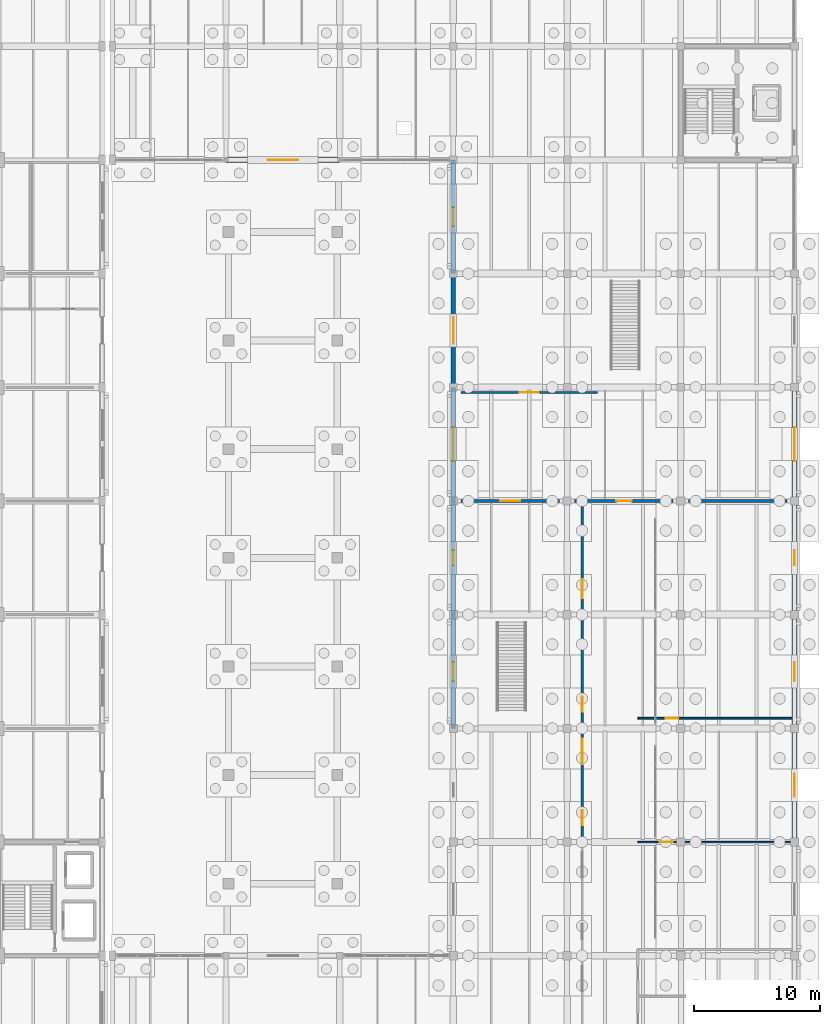
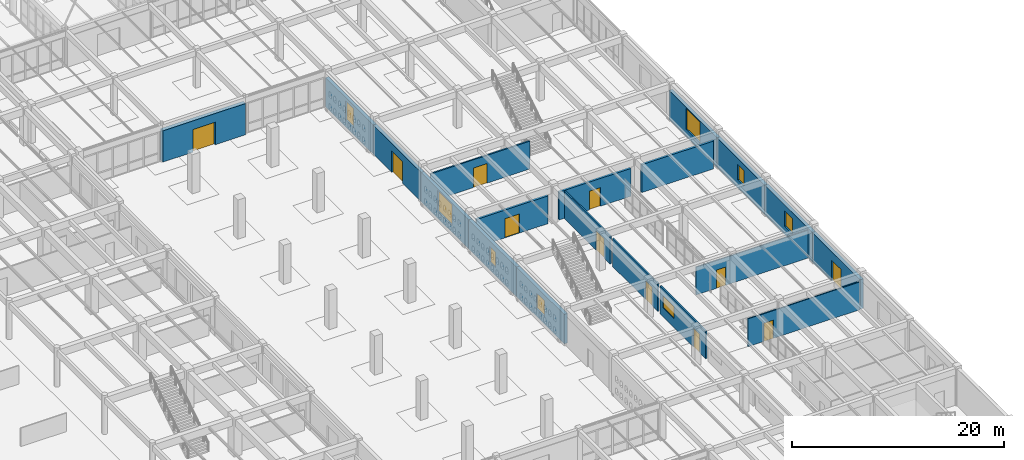
# One storey, part 169 of 186: 19 walls, 11 doors, 8 windows, 19 openings.
"""IFC4 building model written with IfcOpenShell, lengths in metres."""

from ifc_helpers import new_model, si_unit, direction, frame, frame_2d, origin, place, context, subcontext, project, spatial, rectangle, extrude, material, layer, layer_set, type_object, element, fill, save


model = new_model("IFC4")

# Units and contexts
model_context = context("Model", 3, precision=1e-05, world=origin(), true_north=direction((0.0, 1.0)))
body_context = subcontext(model_context, "Body", "Model", "MODEL_VIEW")
ifc_project = project(units=[si_unit("LENGTHUNIT", "METRE"), si_unit("AREAUNIT", "SQUARE_METRE"), si_unit("VOLUMEUNIT", "CUBIC_METRE"), si_unit("PLANEANGLEUNIT", "RADIAN"), si_unit("MASSUNIT", "GRAM", prefix="KILO")], contexts=[model_context])

# Site, building, storey
site_placement = place(None, origin())
site = spatial("IfcSite", under=ifc_project, at=site_placement, CompositionType="ELEMENT")
building_placement = place(site_placement, origin())
building = spatial("IfcBuilding", under=site, at=building_placement, Name="Ornek Quay Market", CompositionType="ELEMENT")
storey_placement = place(building_placement, origin())
storey = spatial("IfcBuildingStorey", under=building, at=storey_placement, Name="L00", CompositionType="ELEMENT", Elevation=0.0)

# Wall, opening, window
ifc_material_1 = material(Name="Frost-resistant facing clay brick M200 F100", Category="masonry")
ifc_layer_1 = layer(ifc_material_1, 0.3701171875, Name="Frost-resistant facing clay brick M200 F100", Category="masonry")
ifc_layer_set_1 = layer_set([ifc_layer_1], Name="Frost-resistant facing clay brick M200 F100")
wall_type_1 = type_object("IfcWallType", Name="WL-EXT-CS-370", PredefinedType="STANDARD", material=ifc_layer_set_1)
wall_1_placement = place(storey_placement, frame((153.0, 47.0, 0.0), z_axis=(0.0, 0.0, 1.0), x_axis=(0.0, 1.0, 0.0)))
wall_1 = element("IfcWall", 1, at=wall_1_placement, inside=storey, type_object=wall_type_1, Name="Exterior wall EW-189", PredefinedType="STANDARD", context=body_context, shape_type="SweptSolid", body=[
    extrude(rectangle(XDim=9.0, YDim=0.3701171875, at=frame_2d((4.5, 0.0))), origin(), (0.0, 0.0, 1.0), 3.3798828125),
])
opening_1_placement = place(wall_1_placement, frame((3.75, 0.0, 0.89990234375)))
opening_1 = element("IfcOpeningElement", 2, at=opening_1_placement, cuts=wall_1, Name="Opening W-10-155", PredefinedType="OPENING", context=body_context, shape_type="SweptSolid", body=[
    extrude(rectangle(XDim=1.5, YDim=1.800048828125, at=frame_2d((0.75, 0.89990234375))), frame((0.0, 0.195068359375, 0.0), z_axis=(0.0, -1.0, 0.0), x_axis=(1.0, 0.0, 0.0)), (0.0, 0.0, 1.0), 0.39013671875),
])
ifc_material_2 = material(Name="Thermally broken bronze aluminium and triple low-e glass", Category="aluminium")
window_type_1 = type_object("IfcWindowType", Name="WN-CS-1500x1800", PartitioningType="SINGLE_PANEL", PredefinedType="WINDOW", material=ifc_material_2)
window_1_placement = place(opening_1_placement, origin())
window_1 = element("IfcWindow", 3, at=window_1_placement, inside=storey, type_object=window_type_1, Name="Window W-10-155", OverallHeight=1.800048828125, OverallWidth=1.5, PartitioningType="SINGLE_PANEL", PredefinedType="WINDOW", context=body_context, shape_type="SweptSolid", body=[
    extrude(rectangle(XDim=1.5, YDim=1.800048828125, at=frame_2d((0.75, 0.89990234375))), frame((0.0, 0.030029296875, 0.0), z_axis=(0.0, -1.0, 0.0), x_axis=(1.0, 0.0, 0.0)), (0.0, 0.0, 1.0), 0.06005859375),
])
fill(opening_1, window_1)

wall_2_placement = place(storey_placement, frame((153.0, 56.0, 0.0), z_axis=(0.0, 0.0, 1.0), x_axis=(0.0, 1.0, 0.0)))
wall_2 = element("IfcWall", 4, at=wall_2_placement, inside=storey, type_object=wall_type_1, Name="Exterior wall EW-190", PredefinedType="STANDARD", context=body_context, shape_type="SweptSolid", body=[
    extrude(rectangle(XDim=9.0, YDim=0.3701171875, at=frame_2d((4.5, 0.0))), origin(), (0.0, 0.0, 1.0), 3.360107421875),
])
opening_2_placement = place(wall_2_placement, frame((3.89990234375, 0.0, 0.89990234375)))
opening_2 = element("IfcOpeningElement", 5, at=opening_2_placement, cuts=wall_2, Name="Opening W-11-156", PredefinedType="OPENING", context=body_context, shape_type="SweptSolid", body=[
    extrude(rectangle(XDim=1.199951171875, YDim=1.800048828125, at=frame_2d((0.60009765625, 0.89990234375))), frame((0.0, 0.195068359375, 0.0), z_axis=(0.0, -1.0, 0.0), x_axis=(1.0, 0.0, 0.0)), (0.0, 0.0, 1.0), 0.39013671875),
])
window_type_2 = type_object("IfcWindowType", Name="WN-CS-1200x1800", PartitioningType="SINGLE_PANEL", PredefinedType="WINDOW", material=ifc_material_2)
window_2_placement = place(opening_2_placement, origin())
window_2 = element("IfcWindow", 6, at=window_2_placement, inside=storey, type_object=window_type_2, Name="Window W-11-156", OverallHeight=1.800048828125, OverallWidth=1.199951171875, PartitioningType="SINGLE_PANEL", PredefinedType="WINDOW", context=body_context, shape_type="SweptSolid", body=[
    extrude(rectangle(XDim=1.199951171875, YDim=1.800048828125, at=frame_2d((0.60009765625, 0.89990234375))), frame((0.0, 0.030029296875, 0.0), z_axis=(0.0, -1.0, 0.0), x_axis=(1.0, 0.0, 0.0)), (0.0, 0.0, 1.0), 0.06005859375),
])
fill(opening_2, window_2)

# Wall, opening, door
wall_3_placement = place(storey_placement, frame((180.0, 38.0, 0.0), z_axis=(0.0, 0.0, 1.0), x_axis=(0.0, 1.0, 0.0)))
wall_3 = element("IfcWall", 7, at=wall_3_placement, inside=storey, type_object=wall_type_1, Name="Exterior wall EW-194", PredefinedType="STANDARD", context=body_context, shape_type="SweptSolid", body=[
    extrude(rectangle(XDim=9.0, YDim=0.3701171875, at=frame_2d((4.5, 0.0))), origin(), (0.0, 0.0, 1.0), 3.3798828125),
])
opening_3_placement = place(wall_3_placement, frame((3.60009765625, 0.0, 0.0)))
opening_3 = element("IfcOpeningElement", 8, at=opening_3_placement, cuts=wall_3, Name="Opening ED-03-047", PredefinedType="OPENING", context=body_context, shape_type="SweptSolid", body=[
    extrude(rectangle(XDim=1.800048828125, YDim=2.39990234375, at=frame_2d((0.89990234375, 1.199951171875))), frame((0.0, 0.195068359375, 0.0), z_axis=(0.0, -1.0, 0.0), x_axis=(1.0, 0.0, 0.0)), (0.0, 0.0, 1.0), 0.39013671875),
])
ifc_material_3 = material(Name="Anodised bronze aluminium and triple glass", Category="aluminium")
door_type_1 = type_object("IfcDoorType", Name="DR-EXT-DBL-1800x2400", OperationType="DOUBLE_DOOR_SINGLE_SWING", PredefinedType="DOOR", material=ifc_material_3)
door_1_placement = place(opening_3_placement, origin())
door_1 = element("IfcDoor", 9, at=door_1_placement, inside=storey, type_object=door_type_1, Name="Exterior door ED-03-047", OperationType="DOUBLE_DOOR_SINGLE_SWING", OverallHeight=2.39990234375, OverallWidth=1.800048828125, PredefinedType="DOOR", context=body_context, shape_type="SweptSolid", body=[
    extrude(rectangle(XDim=1.800048828125, YDim=2.39990234375, at=frame_2d((0.89990234375, 1.199951171875))), frame((0.0, 0.02490234375, 0.0), z_axis=(0.0, -1.0, 0.0), x_axis=(1.0, 0.0, 0.0)), (0.0, 0.0, 1.0), 0.050048828125),
])
fill(opening_3, door_1)

# Wall, opening, window
wall_4_placement = place(storey_placement, frame((180.0, 47.0, 0.0), z_axis=(0.0, 0.0, 1.0), x_axis=(0.0, 1.0, 0.0)))
wall_4 = element("IfcWall", 10, at=wall_4_placement, inside=storey, type_object=wall_type_1, Name="Exterior wall EW-195", PredefinedType="STANDARD", context=body_context, shape_type="SweptSolid", body=[
    extrude(rectangle(XDim=9.0, YDim=0.3701171875, at=frame_2d((4.5, 0.0))), origin(), (0.0, 0.0, 1.0), 3.3798828125),
])
opening_4_placement = place(wall_4_placement, frame((3.75, 0.0, 0.89990234375)))
opening_4 = element("IfcOpeningElement", 11, at=opening_4_placement, cuts=wall_4, Name="Opening W-10-159", PredefinedType="OPENING", context=body_context, shape_type="SweptSolid", body=[
    extrude(rectangle(XDim=1.5, YDim=1.800048828125, at=frame_2d((0.75, 0.89990234375))), frame((0.0, 0.195068359375, 0.0), z_axis=(0.0, -1.0, 0.0), x_axis=(1.0, 0.0, 0.0)), (0.0, 0.0, 1.0), 0.39013671875),
])
window_3_placement = place(opening_4_placement, origin())
window_3 = element("IfcWindow", 12, at=window_3_placement, inside=storey, type_object=window_type_1, Name="Window W-10-159", OverallHeight=1.800048828125, OverallWidth=1.5, PartitioningType="SINGLE_PANEL", PredefinedType="WINDOW", context=body_context, shape_type="SweptSolid", body=[
    extrude(rectangle(XDim=1.5, YDim=1.800048828125, at=frame_2d((0.75, 0.89990234375))), frame((0.0, 0.030029296875, 0.0), z_axis=(0.0, -1.0, 0.0), x_axis=(1.0, 0.0, 0.0)), (0.0, 0.0, 1.0), 0.06005859375),
])
fill(opening_4, window_3)

wall_5_placement = place(storey_placement, frame((180.0, 56.0, 0.0), z_axis=(0.0, 0.0, 1.0), x_axis=(0.0, 1.0, 0.0)))
wall_5 = element("IfcWall", 13, at=wall_5_placement, inside=storey, type_object=wall_type_1, Name="Exterior wall EW-196", PredefinedType="STANDARD", context=body_context, shape_type="SweptSolid", body=[
    extrude(rectangle(XDim=9.0, YDim=0.3701171875, at=frame_2d((4.5, 0.0))), origin(), (0.0, 0.0, 1.0), 3.360107421875),
])
opening_5_placement = place(wall_5_placement, frame((3.89990234375, 0.0, 0.89990234375)))
opening_5 = element("IfcOpeningElement", 14, at=opening_5_placement, cuts=wall_5, Name="Opening W-11-160", PredefinedType="OPENING", context=body_context, shape_type="SweptSolid", body=[
    extrude(rectangle(XDim=1.199951171875, YDim=1.800048828125, at=frame_2d((0.60009765625, 0.89990234375))), frame((0.0, 0.195068359375, 0.0), z_axis=(0.0, -1.0, 0.0), x_axis=(1.0, 0.0, 0.0)), (0.0, 0.0, 1.0), 0.39013671875),
])
window_4_placement = place(opening_5_placement, origin())
window_4 = element("IfcWindow", 15, at=window_4_placement, inside=storey, type_object=window_type_2, Name="Window W-11-160", OverallHeight=1.800048828125, OverallWidth=1.199951171875, PartitioningType="SINGLE_PANEL", PredefinedType="WINDOW", context=body_context, shape_type="SweptSolid", body=[
    extrude(rectangle(XDim=1.199951171875, YDim=1.800048828125, at=frame_2d((0.60009765625, 0.89990234375))), frame((0.0, 0.030029296875, 0.0), z_axis=(0.0, -1.0, 0.0), x_axis=(1.0, 0.0, 0.0)), (0.0, 0.0, 1.0), 0.06005859375),
])
fill(opening_5, window_4)

ifc_layer_2 = layer(ifc_material_1, 0.360107421875, Name="Frost-resistant facing clay brick M200 F100", Category="masonry")
ifc_layer_set_2 = layer_set([ifc_layer_2], Name="Frost-resistant facing clay brick M200 F100")
wall_type_2 = type_object("IfcWallType", Name="WL-EXT-FC-360", PredefinedType="STANDARD", material=ifc_layer_set_2)
wall_6_placement = place(storey_placement, frame((153.0, 65.0, 0.0), z_axis=(0.0, 0.0, 1.0), x_axis=(0.0, 1.0, 0.0)))
wall_6 = element("IfcWall", 16, at=wall_6_placement, inside=storey, type_object=wall_type_2, Name="Exterior wall EW-152", PredefinedType="STANDARD", context=body_context, shape_type="SweptSolid", body=[
    extrude(rectangle(XDim=9.0, YDim=0.360107421875, at=frame_2d((4.5, 0.0))), origin(), (0.0, 0.0, 1.0), 3.360107421875),
])
opening_6_placement = place(wall_6_placement, frame((3.14990234375, 0.0, 0.800048828125)))
opening_6 = element("IfcOpeningElement", 17, at=opening_6_placement, cuts=wall_6, Name="Opening W-05-126", PredefinedType="OPENING", context=body_context, shape_type="SweptSolid", body=[
    extrude(rectangle(XDim=2.699951171875, YDim=2.39990234375, at=frame_2d((1.35009765625, 1.199951171875))), frame((0.0, 0.18994140625, 0.0), z_axis=(0.0, -1.0, 0.0), x_axis=(1.0, 0.0, 0.0)), (0.0, 0.0, 1.0), 0.380126953125),
])
window_type_3 = type_object("IfcWindowType", Name="WN-FC-2700x2400", PartitioningType="TRIPLE_PANEL_VERTICAL", PredefinedType="WINDOW", material=ifc_material_2)
window_5_placement = place(opening_6_placement, origin())
window_5 = element("IfcWindow", 18, at=window_5_placement, inside=storey, type_object=window_type_3, Name="Window W-05-126", OverallHeight=2.39990234375, OverallWidth=2.699951171875, PartitioningType="SINGLE_PANEL", PredefinedType="WINDOW", context=body_context, shape_type="SweptSolid", body=[
    extrude(rectangle(XDim=2.699951171875, YDim=2.39990234375, at=frame_2d((1.35009765625, 1.199951171875))), frame((0.0, 0.030029296875, 0.0), z_axis=(0.0, -1.0, 0.0), x_axis=(1.0, 0.0, 0.0)), (0.0, 0.0, 1.0), 0.06005859375),
])
fill(opening_6, window_5)

# Wall, opening, door
wall_7_placement = place(storey_placement, frame((153.0, 74.0, 0.0), z_axis=(0.0, 0.0, 1.0), x_axis=(0.0, 1.0, 0.0)))
wall_7 = element("IfcWall", 19, at=wall_7_placement, inside=storey, type_object=wall_type_2, Name="Exterior wall EW-153", PredefinedType="STANDARD", context=body_context, shape_type="SweptSolid", body=[
    extrude(rectangle(XDim=9.0, YDim=0.360107421875, at=frame_2d((4.5, 0.0))), origin(), (0.0, 0.0, 1.0), 3.360107421875),
])
opening_7_placement = place(wall_7_placement, frame((3.449951171875, 0.0, 0.0)))
opening_7 = element("IfcOpeningElement", 20, at=opening_7_placement, cuts=wall_7, Name="Opening ED-02-038", PredefinedType="OPENING", context=body_context, shape_type="SweptSolid", body=[
    extrude(rectangle(XDim=2.10009765625, YDim=2.5, at=frame_2d((1.050048828125, 1.25))), frame((0.0, 0.18994140625, 0.0), z_axis=(0.0, -1.0, 0.0), x_axis=(1.0, 0.0, 0.0)), (0.0, 0.0, 1.0), 0.380126953125),
])
door_type_2 = type_object("IfcDoorType", Name="DR-EXT-DBL-2100x2500", OperationType="DOUBLE_DOOR_SINGLE_SWING", PredefinedType="DOOR", material=ifc_material_3)
door_2_placement = place(opening_7_placement, origin())
door_2 = element("IfcDoor", 21, at=door_2_placement, inside=storey, type_object=door_type_2, Name="Exterior door ED-02-038", OperationType="DOUBLE_DOOR_SINGLE_SWING", OverallHeight=2.5, OverallWidth=2.10009765625, PredefinedType="DOOR", context=body_context, shape_type="SweptSolid", body=[
    extrude(rectangle(XDim=2.10009765625, YDim=2.5, at=frame_2d((1.050048828125, 1.25))), frame((0.0, 0.02490234375, 0.0), z_axis=(0.0, -1.0, 0.0), x_axis=(1.0, 0.0, 0.0)), (0.0, 0.0, 1.0), 0.050048828125),
])
fill(opening_7, door_2)

# Wall, opening, window
wall_8_placement = place(storey_placement, frame((153.0, 83.0, 0.0), z_axis=(0.0, 0.0, 1.0), x_axis=(0.0, 1.0, 0.0)))
wall_8 = element("IfcWall", 22, at=wall_8_placement, inside=storey, type_object=wall_type_2, Name="Exterior wall EW-154", PredefinedType="STANDARD", context=body_context, shape_type="SweptSolid", body=[
    extrude(rectangle(XDim=9.0, YDim=0.360107421875, at=frame_2d((4.5, 0.0))), origin(), (0.0, 0.0, 1.0), 3.360107421875),
])
opening_8_placement = place(wall_8_placement, frame((3.75, 0.0, 0.800048828125)))
opening_8 = element("IfcOpeningElement", 23, at=opening_8_placement, cuts=wall_8, Name="Opening W-07-127", PredefinedType="OPENING", context=body_context, shape_type="SweptSolid", body=[
    extrude(rectangle(XDim=1.5, YDim=2.199951171875, at=frame_2d((0.75, 1.10009765625))), frame((0.0, 0.18994140625, 0.0), z_axis=(0.0, -1.0, 0.0), x_axis=(1.0, 0.0, 0.0)), (0.0, 0.0, 1.0), 0.380126953125),
])
window_type_4 = type_object("IfcWindowType", Name="WN-FC-1500x2200", PartitioningType="SINGLE_PANEL", PredefinedType="WINDOW", material=ifc_material_2)
window_6_placement = place(opening_8_placement, origin())
window_6 = element("IfcWindow", 24, at=window_6_placement, inside=storey, type_object=window_type_4, Name="Window W-07-127", OverallHeight=2.199951171875, OverallWidth=1.5, PartitioningType="SINGLE_PANEL", PredefinedType="WINDOW", context=body_context, shape_type="SweptSolid", body=[
    extrude(rectangle(XDim=1.5, YDim=2.199951171875, at=frame_2d((0.75, 1.10009765625))), frame((0.0, 0.030029296875, 0.0), z_axis=(0.0, -1.0, 0.0), x_axis=(1.0, 0.0, 0.0)), (0.0, 0.0, 1.0), 0.06005859375),
])
fill(opening_8, window_6)

wall_9_placement = place(storey_placement, frame((180.0, 65.0, 0.0), z_axis=(0.0, 0.0, 1.0), x_axis=(0.0, 1.0, 0.0)))
wall_9 = element("IfcWall", 25, at=wall_9_placement, inside=storey, type_object=wall_type_2, Name="Exterior wall EW-155", PredefinedType="STANDARD", context=body_context, shape_type="SweptSolid", body=[
    extrude(rectangle(XDim=9.0, YDim=0.360107421875, at=frame_2d((4.5, 0.0))), origin(), (0.0, 0.0, 1.0), 3.360107421875),
])
opening_9_placement = place(wall_9_placement, frame((3.14990234375, 0.0, 0.800048828125)))
opening_9 = element("IfcOpeningElement", 26, at=opening_9_placement, cuts=wall_9, Name="Opening W-05-128", PredefinedType="OPENING", context=body_context, shape_type="SweptSolid", body=[
    extrude(rectangle(XDim=2.699951171875, YDim=2.39990234375, at=frame_2d((1.35009765625, 1.199951171875))), frame((0.0, 0.18994140625, 0.0), z_axis=(0.0, -1.0, 0.0), x_axis=(1.0, 0.0, 0.0)), (0.0, 0.0, 1.0), 0.380126953125),
])
window_7_placement = place(opening_9_placement, origin())
window_7 = element("IfcWindow", 27, at=window_7_placement, inside=storey, type_object=window_type_3, Name="Window W-05-128", OverallHeight=2.39990234375, OverallWidth=2.699951171875, PartitioningType="SINGLE_PANEL", PredefinedType="WINDOW", context=body_context, shape_type="SweptSolid", body=[
    extrude(rectangle(XDim=2.699951171875, YDim=2.39990234375, at=frame_2d((1.35009765625, 1.199951171875))), frame((0.0, 0.030029296875, 0.0), z_axis=(0.0, -1.0, 0.0), x_axis=(1.0, 0.0, 0.0)), (0.0, 0.0, 1.0), 0.06005859375),
])
fill(opening_9, window_7)

# Wall, opening, door
ifc_material_4 = material(Name="Granite-faced insulated concrete C35/45", Category="masonry")
ifc_layer_3 = layer(ifc_material_4, 0.43994140625, Name="Granite-faced insulated concrete C35/45", Category="masonry")
ifc_layer_set_3 = layer_set([ifc_layer_3], Name="Granite-faced insulated concrete C35/45")
wall_type_3 = type_object("IfcWallType", Name="WL-EXT-PLINTH-440", PredefinedType="STANDARD", material=ifc_layer_set_3)
wall_10_placement = place(storey_placement, frame((135.0, 92.0, 0.0), z_axis=(0.0, 0.0, 1.0), x_axis=(1.0, 0.0, 0.0)))
wall_10 = element("IfcWall", 28, at=wall_10_placement, inside=storey, type_object=wall_type_3, Name="Exterior wall EW-091", PredefinedType="STANDARD", context=body_context, shape_type="SweptSolid", body=[
    extrude(rectangle(XDim=9.0, YDim=0.43994140625, at=frame_2d((4.5, 0.0))), origin(), (0.0, 0.0, 1.0), 3.60009765625),
])
opening_10_placement = place(wall_10_placement, frame((3.300048828125, 0.0, 0.0)))
opening_10 = element("IfcOpeningElement", 29, at=opening_10_placement, cuts=wall_10, Name="Opening ED-01-016", PredefinedType="OPENING", context=body_context, shape_type="SweptSolid", body=[
    extrude(rectangle(XDim=2.39990234375, YDim=2.60009765625, at=frame_2d((1.199951171875, 1.300048828125))), frame((0.0, 0.22998046875, 0.0), z_axis=(0.0, -1.0, 0.0), x_axis=(1.0, 0.0, 0.0)), (0.0, 0.0, 1.0), 0.4599609375),
])
door_type_3 = type_object("IfcDoorType", Name="DR-EXT-DBL-2400x2600", OperationType="DOUBLE_DOOR_SINGLE_SWING", PredefinedType="DOOR", material=ifc_material_3)
door_3_placement = place(opening_10_placement, origin())
door_3 = element("IfcDoor", 30, at=door_3_placement, inside=storey, type_object=door_type_3, Name="Exterior door ED-01-016", OperationType="DOUBLE_DOOR_SINGLE_SWING", OverallHeight=2.60009765625, OverallWidth=2.39990234375, PredefinedType="DOOR", context=body_context, shape_type="SweptSolid", body=[
    extrude(rectangle(XDim=2.39990234375, YDim=2.60009765625, at=frame_2d((1.199951171875, 1.300048828125))), frame((0.0, 0.02490234375, 0.0), z_axis=(0.0, -1.0, 0.0), x_axis=(1.0, 0.0, 0.0)), (0.0, 0.0, 1.0), 0.050048828125),
])
fill(opening_10, door_3)

ifc_material_5 = material(Name="Concrete C35/45", Category="concrete")
ifc_layer_4 = layer(ifc_material_5, 0.239990234375, Name="Concrete C35/45", Category="concrete")
ifc_layer_set_4 = layer_set([ifc_layer_4], Name="Concrete C35/45")
wall_type_4 = type_object("IfcWallType", Name="WL-FIRE-240", PredefinedType="SOLIDWALL", material=ifc_layer_set_4)
wall_11_placement = place(storey_placement, frame((153.60009765625, 65.0, 0.0), z_axis=(0.0, 0.0, 1.0), x_axis=(1.0, 0.0, 0.0)))
wall_11 = element("IfcWall", 31, at=wall_11_placement, inside=storey, type_object=wall_type_4, Name="Interior wall W-FIRE2-297", PredefinedType="SOLIDWALL", context=body_context, shape_type="SweptSolid", body=[
    extrude(rectangle(XDim=7.7998046875, YDim=0.239990234375, at=frame_2d((3.89990234375, 0.0))), origin(), (0.0, 0.0, 1.0), 3.199951171875),
])
opening_11_placement = place(wall_11_placement, frame((3.10009765625, 0.0, 0.0)))
opening_11 = element("IfcOpeningElement", 32, at=opening_11_placement, cuts=wall_11, Name="Opening FD-02-133", PredefinedType="OPENING", context=body_context, shape_type="SweptSolid", body=[
    extrude(rectangle(XDim=1.60009765625, YDim=2.199951171875, at=frame_2d((0.800048828125, 1.10009765625))), frame((0.0, 0.1298828125, 0.0), z_axis=(0.0, -1.0, 0.0), x_axis=(1.0, 0.0, 0.0)), (0.0, 0.0, 1.0), 0.260009765625),
])
ifc_material_6 = material(Name="Insulated fire-rated painted steel", Category="steel")
door_type_4 = type_object("IfcDoorType", Name="DR-FIRE-DBL-1600x2200", OperationType="DOUBLE_DOOR_SINGLE_SWING", PredefinedType="DOOR", material=ifc_material_6)
door_4_placement = place(opening_11_placement, origin())
door_4 = element("IfcDoor", 33, at=door_4_placement, inside=storey, type_object=door_type_4, Name="Interior door FD-02-133", OperationType="DOUBLE_DOOR_SINGLE_SWING", OverallHeight=2.199951171875, OverallWidth=1.60009765625, PredefinedType="DOOR", context=body_context, shape_type="SweptSolid", body=[
    extrude(rectangle(XDim=1.60009765625, YDim=2.199951171875, at=frame_2d((0.800048828125, 1.10009765625))), frame((0.0, 0.02490234375, 0.0), z_axis=(0.0, -1.0, 0.0), x_axis=(1.0, 0.0, 0.0)), (0.0, 0.0, 1.0), 0.050048828125),
])
fill(opening_11, door_4)

wall_12_placement = place(storey_placement, frame((162.60009765625, 65.0, 0.0), z_axis=(0.0, 0.0, 1.0), x_axis=(1.0, 0.0, 0.0)))
wall_12 = element("IfcWall", 34, at=wall_12_placement, inside=storey, type_object=wall_type_4, Name="Interior wall W-FIRE2-298", PredefinedType="SOLIDWALL", context=body_context, shape_type="SweptSolid", body=[
    extrude(rectangle(XDim=7.7998046875, YDim=0.239990234375, at=frame_2d((3.89990234375, 0.0))), origin(), (0.0, 0.0, 1.0), 3.199951171875),
])
opening_12_placement = place(wall_12_placement, frame((3.300048828125, 0.0, 0.0)))
opening_12 = element("IfcOpeningElement", 35, at=opening_12_placement, cuts=wall_12, Name="Opening ID-02-134", PredefinedType="OPENING", context=body_context, shape_type="SweptSolid", body=[
    extrude(rectangle(XDim=1.199951171875, YDim=2.14990234375, at=frame_2d((0.60009765625, 1.074951171875))), frame((0.0, 0.1298828125, 0.0), z_axis=(0.0, -1.0, 0.0), x_axis=(1.0, 0.0, 0.0)), (0.0, 0.0, 1.0), 0.260009765625),
])
ifc_material_7 = material(Name="Acoustic solid oak door", Category="other")
door_type_5 = type_object("IfcDoorType", Name="DR-INT-STUDIO-1200x2150", OperationType="NOTDEFINED", PredefinedType="DOOR", material=ifc_material_7)
door_5_placement = place(opening_12_placement, origin())
door_5 = element("IfcDoor", 36, at=door_5_placement, inside=storey, type_object=door_type_5, Name="Interior door ID-02-134", OperationType="SINGLE_SWING_LEFT", OverallHeight=2.14990234375, OverallWidth=1.199951171875, PredefinedType="DOOR", context=body_context, shape_type="SweptSolid", body=[
    extrude(rectangle(XDim=1.199951171875, YDim=2.14990234375, at=frame_2d((0.60009765625, 1.074951171875))), frame((0.0, 0.02490234375, 0.0), z_axis=(0.0, -1.0, 0.0), x_axis=(1.0, 0.0, 0.0)), (0.0, 0.0, 1.0), 0.050048828125),
])
fill(opening_12, door_5)

# Wall
wall_13_placement = place(storey_placement, frame((171.60009765625, 65.0, 0.0), z_axis=(0.0, 0.0, 1.0), x_axis=(1.0, 0.0, 0.0)))
element("IfcWall", 37, at=wall_13_placement, inside=storey, type_object=wall_type_4, Name="Interior wall W-FIRE2-299", PredefinedType="SOLIDWALL", context=body_context, shape_type="SweptSolid", body=[
    extrude(rectangle(XDim=7.7998046875, YDim=0.239990234375, at=frame_2d((3.89990234375, 0.0))), origin(), (0.0, 0.0, 1.0), 3.199951171875),
])

# Wall, openings, door, window
ifc_material_8 = material(Name="Ceramic-tiled masonry partition", Category="masonry")
ifc_layer_5 = layer(ifc_material_8, 0.159912109375, Name="Ceramic-tiled masonry partition", Category="masonry")
ifc_layer_set_5 = layer_set([ifc_layer_5], Name="Ceramic-tiled masonry partition")
wall_type_5 = type_object("IfcWallType", Name="WL-KIT-160", PredefinedType="PARTITIONING", material=ifc_layer_set_5)
wall_14_placement = place(storey_placement, frame((163.199951171875, 38.219970703125, 0.0), z_axis=(0.0, 0.0, 1.0), x_axis=(0.0, 1.0, 0.0)))
wall_14 = element("IfcWall", 38, at=wall_14_placement, inside=storey, type_object=wall_type_5, Name="Interior wall W-INT2-303", PredefinedType="PARTITIONING", context=body_context, shape_type="SweptSolid", body=[
    extrude(rectangle(XDim=8.56005859375, YDim=0.159912109375, at=frame_2d((4.280029296875, 0.0))), origin(), (0.0, 0.0, 1.0), 3.199951171875),
])
opening_13_placement = place(wall_14_placement, frame((1.10009765625, 0.0, 0.0)))
opening_13 = element("IfcOpeningElement", 39, at=opening_13_placement, cuts=wall_14, Name="Opening ID-02-138", PredefinedType="OPENING", context=body_context, shape_type="SweptSolid", body=[
    extrude(rectangle(XDim=1.199951171875, YDim=2.14990234375, at=frame_2d((0.60009765625, 1.074951171875))), frame((0.0, 0.08984375, 0.0), z_axis=(0.0, -1.0, 0.0), x_axis=(1.0, 0.0, 0.0)), (0.0, 0.0, 1.0), 0.179931640625),
])
opening_14_placement = place(wall_14_placement, frame((5.9599609375, 0.0, 1.050048828125)))
opening_14 = element("IfcOpeningElement", 40, at=opening_14_placement, cuts=wall_14, Name="Opening W-19-L00-38", PredefinedType="OPENING", context=body_context, shape_type="SweptSolid", body=[
    extrude(rectangle(XDim=2.0, YDim=1.35009765625, at=frame_2d((1.0, 0.675048828125))), frame((0.0, 0.08984375, 0.0), z_axis=(0.0, -1.0, 0.0), x_axis=(1.0, 0.0, 0.0)), (0.0, 0.0, 1.0), 0.179931640625),
])
door_6_placement = place(opening_13_placement, origin())
door_6 = element("IfcDoor", 41, at=door_6_placement, inside=storey, type_object=door_type_5, Name="Interior door ID-02-138", OperationType="SINGLE_SWING_LEFT", OverallHeight=2.14990234375, OverallWidth=1.199951171875, PredefinedType="DOOR", context=body_context, shape_type="SweptSolid", body=[
    extrude(rectangle(XDim=1.199951171875, YDim=2.14990234375, at=frame_2d((0.60009765625, 1.074951171875))), frame((0.0, 0.02490234375, 0.0), z_axis=(0.0, -1.0, 0.0), x_axis=(1.0, 0.0, 0.0)), (0.0, 0.0, 1.0), 0.050048828125),
])
fill(opening_13, door_6)
window_type_5 = type_object("IfcWindowType", Name="WN-INT-2000x1500", PartitioningType="DOUBLE_PANEL_VERTICAL", PredefinedType="WINDOW", material=ifc_material_2)
window_8_placement = place(opening_14_placement, origin())
window_8 = element("IfcWindow", 42, at=window_8_placement, inside=storey, type_object=window_type_5, Name="Teaching kitchen observation window L00-38", OverallHeight=1.35009765625, OverallWidth=2.0, PartitioningType="SINGLE_PANEL", PredefinedType="WINDOW", context=body_context, shape_type="SweptSolid", body=[
    extrude(rectangle(XDim=2.0, YDim=1.35009765625, at=frame_2d((1.0, 0.675048828125))), frame((0.0, 0.030029296875, 0.0), z_axis=(0.0, -1.0, 0.0), x_axis=(1.0, 0.0, 0.0)), (0.0, 0.0, 1.0), 0.06005859375),
])
fill(opening_14, window_8)

# Wall, opening, door
wall_15_placement = place(storey_placement, frame((163.199951171875, 47.219970703125, 0.0), z_axis=(0.0, 0.0, 1.0), x_axis=(0.0, 1.0, 0.0)))
wall_15 = element("IfcWall", 43, at=wall_15_placement, inside=storey, type_object=wall_type_5, Name="Interior wall W-INT2-304", PredefinedType="PARTITIONING", context=body_context, shape_type="SweptSolid", body=[
    extrude(rectangle(XDim=8.56005859375, YDim=0.159912109375, at=frame_2d((4.280029296875, 0.0))), origin(), (0.0, 0.0, 1.0), 3.199951171875),
])
opening_15_placement = place(wall_15_placement, frame((1.10009765625, 0.0, 0.0)))
opening_15 = element("IfcOpeningElement", 44, at=opening_15_placement, cuts=wall_15, Name="Opening ID-02-139", PredefinedType="OPENING", context=body_context, shape_type="SweptSolid", body=[
    extrude(rectangle(XDim=1.199951171875, YDim=2.14990234375, at=frame_2d((0.60009765625, 1.074951171875))), frame((0.0, 0.08984375, 0.0), z_axis=(0.0, -1.0, 0.0), x_axis=(1.0, 0.0, 0.0)), (0.0, 0.0, 1.0), 0.179931640625),
])
door_7_placement = place(opening_15_placement, origin())
door_7 = element("IfcDoor", 45, at=door_7_placement, inside=storey, type_object=door_type_5, Name="Interior door ID-02-139", OperationType="SINGLE_SWING_RIGHT", OverallHeight=2.14990234375, OverallWidth=1.199951171875, PredefinedType="DOOR", context=body_context, shape_type="SweptSolid", body=[
    extrude(rectangle(XDim=1.199951171875, YDim=2.14990234375, at=frame_2d((0.60009765625, 1.074951171875))), frame((0.0, 0.02490234375, 0.0), z_axis=(0.0, -1.0, 0.0), x_axis=(1.0, 0.0, 0.0)), (0.0, 0.0, 1.0), 0.050048828125),
])
fill(opening_15, door_7)

wall_16_placement = place(storey_placement, frame((163.199951171875, 56.219970703125, 0.0), z_axis=(0.0, 0.0, 1.0), x_axis=(0.0, 1.0, 0.0)))
wall_16 = element("IfcWall", 46, at=wall_16_placement, inside=storey, type_object=wall_type_5, Name="Interior wall W-INT2-305", PredefinedType="PARTITIONING", context=body_context, shape_type="SweptSolid", body=[
    extrude(rectangle(XDim=8.56005859375, YDim=0.159912109375, at=frame_2d((4.280029296875, 0.0))), origin(), (0.0, 0.0, 1.0), 3.199951171875),
])
opening_16_placement = place(wall_16_placement, frame((1.10009765625, 0.0, 0.0)))
opening_16 = element("IfcOpeningElement", 47, at=opening_16_placement, cuts=wall_16, Name="Opening ID-01-140", PredefinedType="OPENING", context=body_context, shape_type="SweptSolid", body=[
    extrude(rectangle(XDim=1.5, YDim=2.25, at=frame_2d((0.75, 1.125))), frame((0.0, 0.08984375, 0.0), z_axis=(0.0, -1.0, 0.0), x_axis=(1.0, 0.0, 0.0)), (0.0, 0.0, 1.0), 0.179931640625),
])
ifc_material_9 = material(Name="Solid oak and laminated glass door", Category="glass")
door_type_6 = type_object("IfcDoorType", Name="DR-INT-SHOP-1500x2250", OperationType="DOUBLE_DOOR_SINGLE_SWING", PredefinedType="DOOR", material=ifc_material_9)
door_8_placement = place(opening_16_placement, origin())
door_8 = element("IfcDoor", 48, at=door_8_placement, inside=storey, type_object=door_type_6, Name="Interior door ID-01-140", OperationType="DOUBLE_DOOR_SINGLE_SWING", OverallHeight=2.25, OverallWidth=1.5, PredefinedType="DOOR", context=body_context, shape_type="SweptSolid", body=[
    extrude(rectangle(XDim=1.5, YDim=2.25, at=frame_2d((0.75, 1.125))), frame((0.0, 0.02490234375, 0.0), z_axis=(0.0, -1.0, 0.0), x_axis=(1.0, 0.0, 0.0)), (0.0, 0.0, 1.0), 0.050048828125),
])
fill(opening_16, door_8)

wall_17_placement = place(storey_placement, frame((153.60009765625, 73.60009765625, 0.0), z_axis=(0.0, 0.0, 1.0), x_axis=(1.0, 0.0, 0.0)))
wall_17 = element("IfcWall", 49, at=wall_17_placement, inside=storey, type_object=wall_type_5, Name="Interior wall W-INT2-311", PredefinedType="PARTITIONING", context=body_context, shape_type="SweptSolid", body=[
    extrude(rectangle(XDim=10.7998046875, YDim=0.159912109375, at=frame_2d((5.39990234375, 0.0))), origin(), (0.0, 0.0, 1.0), 3.199951171875),
])
opening_17_placement = place(wall_17_placement, frame((4.64990234375, 0.0, 0.0)))
opening_17 = element("IfcOpeningElement", 50, at=opening_17_placement, cuts=wall_17, Name="Opening ID-01-143", PredefinedType="OPENING", context=body_context, shape_type="SweptSolid", body=[
    extrude(rectangle(XDim=1.5, YDim=2.25, at=frame_2d((0.75, 1.125))), frame((0.0, 0.08984375, 0.0), z_axis=(0.0, -1.0, 0.0), x_axis=(1.0, 0.0, 0.0)), (0.0, 0.0, 1.0), 0.179931640625),
])
door_9_placement = place(opening_17_placement, origin())
door_9 = element("IfcDoor", 51, at=door_9_placement, inside=storey, type_object=door_type_6, Name="Interior door ID-01-143", OperationType="DOUBLE_DOOR_SINGLE_SWING", OverallHeight=2.25, OverallWidth=1.5, PredefinedType="DOOR", context=body_context, shape_type="SweptSolid", body=[
    extrude(rectangle(XDim=1.5, YDim=2.25, at=frame_2d((0.75, 1.125))), frame((0.0, 0.02490234375, 0.0), z_axis=(0.0, -1.0, 0.0), x_axis=(1.0, 0.0, 0.0)), (0.0, 0.0, 1.0), 0.050048828125),
])
fill(opening_17, door_9)

ifc_material_10 = material(Name="Acoustic stud partition", Category="other")
ifc_layer_6 = layer(ifc_material_10, 0.125, Name="Acoustic stud partition", Category="other")
ifc_layer_set_6 = layer_set([ifc_layer_6], Name="Acoustic stud partition")
wall_type_6 = type_object("IfcWallType", Name="WL-OFF-125", PredefinedType="PARTITIONING", material=ifc_layer_set_6)
wall_18_placement = place(storey_placement, frame((167.60009765625, 38.0, 0.0), z_axis=(0.0, 0.0, 1.0), x_axis=(1.0, 0.0, 0.0)))
wall_18 = element("IfcWall", 52, at=wall_18_placement, inside=storey, type_object=wall_type_6, Name="Interior wall W-INT5-309", PredefinedType="PARTITIONING", context=body_context, shape_type="SweptSolid", body=[
    extrude(rectangle(XDim=12.199951171875, YDim=0.125, at=frame_2d((6.10009765625, 0.0))), origin(), (0.0, 0.0, 1.0), 3.199951171875),
])
opening_18_placement = place(wall_18_placement, frame((1.75, 0.0, 0.0)))
opening_18 = element("IfcOpeningElement", 53, at=opening_18_placement, cuts=wall_18, Name="Opening ID-03-141", PredefinedType="OPENING", context=body_context, shape_type="SweptSolid", body=[
    extrude(rectangle(XDim=1.0, YDim=2.10009765625, at=frame_2d((0.5, 1.050048828125))), frame((0.0, 0.072509765625, 0.0), z_axis=(0.0, -1.0, 0.0), x_axis=(1.0, 0.0, 0.0)), (0.0, 0.0, 1.0), 0.14501953125),
])
ifc_material_11 = material(Name="Solid oak door", Category="other")
door_type_7 = type_object("IfcDoorType", Name="DR-INT-ROOM-1000x2100", OperationType="NOTDEFINED", PredefinedType="DOOR", material=ifc_material_11)
door_10_placement = place(opening_18_placement, origin())
door_10 = element("IfcDoor", 54, at=door_10_placement, inside=storey, type_object=door_type_7, Name="Interior door ID-03-141", OperationType="SINGLE_SWING_RIGHT", OverallHeight=2.10009765625, OverallWidth=1.0, PredefinedType="DOOR", context=body_context, shape_type="SweptSolid", body=[
    extrude(rectangle(XDim=1.0, YDim=2.10009765625, at=frame_2d((0.5, 1.050048828125))), frame((0.0, 0.02490234375, 0.0), z_axis=(0.0, -1.0, 0.0), x_axis=(1.0, 0.0, 0.0)), (0.0, 0.0, 1.0), 0.050048828125),
])
fill(opening_18, door_10)

wall_19_placement = place(storey_placement, frame((167.60009765625, 47.800048828125, 0.0), z_axis=(0.0, 0.0, 1.0), x_axis=(1.0, 0.0, 0.0)))
wall_19 = element("IfcWall", 55, at=wall_19_placement, inside=storey, type_object=wall_type_6, Name="Interior wall W-INT5-310", PredefinedType="PARTITIONING", context=body_context, shape_type="SweptSolid", body=[
    extrude(rectangle(XDim=12.199951171875, YDim=0.125, at=frame_2d((6.10009765625, 0.0))), origin(), (0.0, 0.0, 1.0), 3.199951171875),
])
opening_19_placement = place(wall_19_placement, frame((2.199951171875, 0.0, 0.0)))
opening_19 = element("IfcOpeningElement", 56, at=opening_19_placement, cuts=wall_19, Name="Opening ID-03-142", PredefinedType="OPENING", context=body_context, shape_type="SweptSolid", body=[
    extrude(rectangle(XDim=1.0, YDim=2.10009765625, at=frame_2d((0.5, 1.050048828125))), frame((0.0, 0.072509765625, 0.0), z_axis=(0.0, -1.0, 0.0), x_axis=(1.0, 0.0, 0.0)), (0.0, 0.0, 1.0), 0.14501953125),
])
door_11_placement = place(opening_19_placement, origin())
door_11 = element("IfcDoor", 57, at=door_11_placement, inside=storey, type_object=door_type_7, Name="Interior door ID-03-142", OperationType="SINGLE_SWING_LEFT", OverallHeight=2.10009765625, OverallWidth=1.0, PredefinedType="DOOR", context=body_context, shape_type="SweptSolid", body=[
    extrude(rectangle(XDim=1.0, YDim=2.10009765625, at=frame_2d((0.5, 1.050048828125))), frame((0.0, 0.02490234375, 0.0), z_axis=(0.0, -1.0, 0.0), x_axis=(1.0, 0.0, 0.0)), (0.0, 0.0, 1.0), 0.050048828125),
])
fill(opening_19, door_11)

save(model, "model.ifc")
